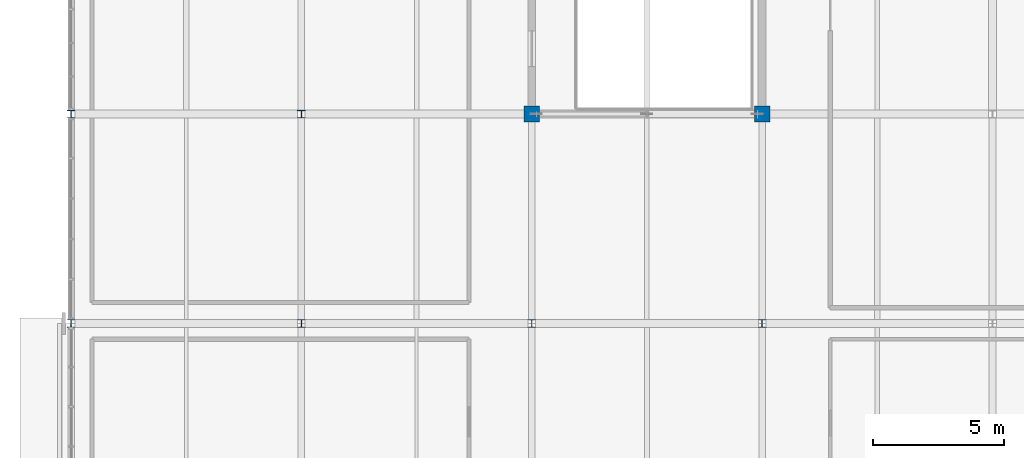
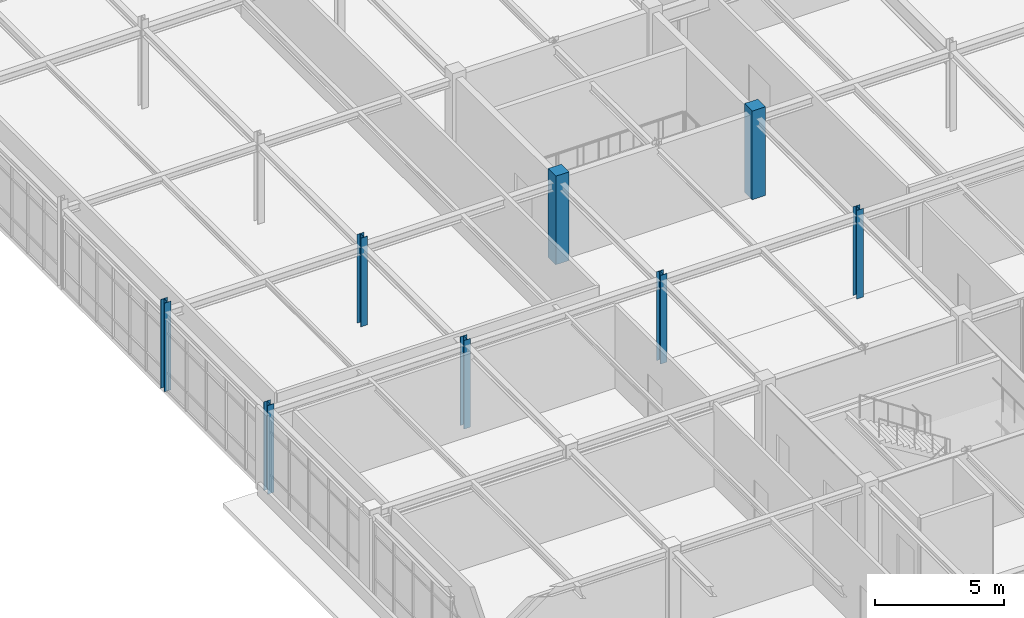
# One storey, part 2 of 64: 8 columns.
"""IFC4 building model written with IfcOpenShell, lengths in metres."""

from ifc_helpers import new_model, si_unit, direction, frame, origin, origin_2d, place, context, subcontext, project, spatial, rectangle, i_section, extrude, material, material_profile, profile_set, type_object, element, save


model = new_model("IFC4")

# Units and contexts
model_context = context("Model", 3, precision=1e-05, world=origin(), true_north=direction((0.0, 1.0)))
body_context = subcontext(model_context, "Body", "Model", "MODEL_VIEW")
ifc_project = project(units=[si_unit("LENGTHUNIT", "METRE"), si_unit("AREAUNIT", "SQUARE_METRE"), si_unit("VOLUMEUNIT", "CUBIC_METRE"), si_unit("PLANEANGLEUNIT", "RADIAN"), si_unit("MASSUNIT", "GRAM", prefix="KILO")], contexts=[model_context])

# Site, building, storey
site_placement = place(None, origin())
site = spatial("IfcSite", under=ifc_project, at=site_placement, CompositionType="ELEMENT")
building_placement = place(site_placement, origin())
building = spatial("IfcBuilding", under=site, at=building_placement, Name="Zhaolan Boulevard Law Courts", CompositionType="ELEMENT")
storey_placement = place(building_placement, frame((0.0, 0.0, 20.39990234375)))
storey = spatial("IfcBuildingStorey", under=building, at=storey_placement, Name="L04", CompositionType="ELEMENT", Elevation=20.39990234375)

# Columns
ifc_material_1 = material(Name="Structural steel Q355B", Category="steel")
ifc_material_profile_1 = material_profile(ifc_material_1, i_section(OverallWidth=0.300048828125, OverallDepth=0.300048828125, WebThickness=0.010009765625, FlangeThickness=0.014892578125, FilletRadius=0.01806640625, at=origin_2d()), Name="HW300x300")
ifc_profile_set_1 = profile_set([ifc_material_profile_1], Name="Structural steel Q355B")
column_type_1 = type_object("IfcColumnType", Name="COL HW300", PredefinedType="COLUMN", material=ifc_profile_set_1)
for number, where, z_axis, x_axis, name in (
    (1, (0.0, 78.0, 0.0), (0.0, 0.0, 1.0), (1.0, 0.0, 0.0), "Column C-1L (L04)"),
    (2, (0.0, 86.0, 0.0), (0.0, 0.0, 1.0), (1.0, 0.0, 0.0), "Column C-1M (L04)"),
    (3, (8.800048828125, 78.0, 0.0), (0.0, 0.0, 1.0), (1.0, 0.0, 0.0), "Column C-2L (L04)"),
    (4, (8.800048828125, 86.0, 0.0), (0.0, 0.0, 1.0), (1.0, 0.0, 0.0), "Column C-2M (L04)"),
    (5, (17.60009765625, 78.0, 0.0), (0.0, 0.0, 1.0), (1.0, 0.0, 0.0), "Column C-3L (L04)"),
    (6, (26.39990234375, 78.0, 0.0), (0.0, 0.0, 1.0), (1.0, 0.0, 0.0), "Column C-4L (L04)"),
):
    element("IfcColumn", number, at=place(storey_placement, frame(where, z_axis=z_axis, x_axis=x_axis)), inside=storey, type_object=column_type_1, Name=name, PredefinedType="COLUMN", context=body_context, shape_type="SweptSolid", body=[
        extrude(i_section(OverallWidth=0.300048828125, OverallDepth=0.300048828125, WebThickness=0.010009765625, FlangeThickness=0.014892578125, FilletRadius=0.01806640625, at=origin_2d()), origin(), (0.0, 0.0, 1.0), 4.2001953125),
    ])
ifc_material_2 = material(Name="Concrete C50", Category="concrete")
ifc_material_profile_2 = material_profile(ifc_material_2, rectangle(XDim=0.60009765625, YDim=0.60009765625, at=origin_2d()), Name="RC600x600")
ifc_profile_set_2 = profile_set([ifc_material_profile_2], Name="Concrete C50")
column_type_2 = type_object("IfcColumnType", Name="COL RC600", PredefinedType="COLUMN", material=ifc_profile_set_2)
for number, where, z_axis, x_axis, name in (
    (7, (17.60009765625, 86.0, 0.0), (0.0, 0.0, 1.0), (1.0, 0.0, 0.0), "Column C-3M (L04)"),
    (8, (26.39990234375, 86.0, 0.0), (0.0, 0.0, 1.0), (1.0, 0.0, 0.0), "Column C-4M (L04)"),
):
    element("IfcColumn", number, at=place(storey_placement, frame(where, z_axis=z_axis, x_axis=x_axis)), inside=storey, type_object=column_type_2, Name=name, PredefinedType="COLUMN", context=body_context, shape_type="SweptSolid", body=[
        extrude(rectangle(XDim=0.60009765625, YDim=0.60009765625, at=origin_2d()), origin(), (0.0, 0.0, 1.0), 4.2001953125),
    ])

save(model, "model.ifc")
